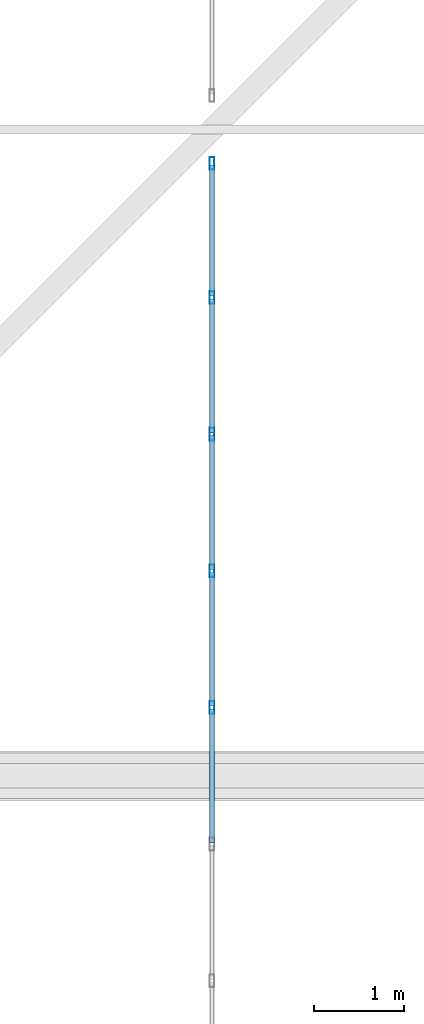
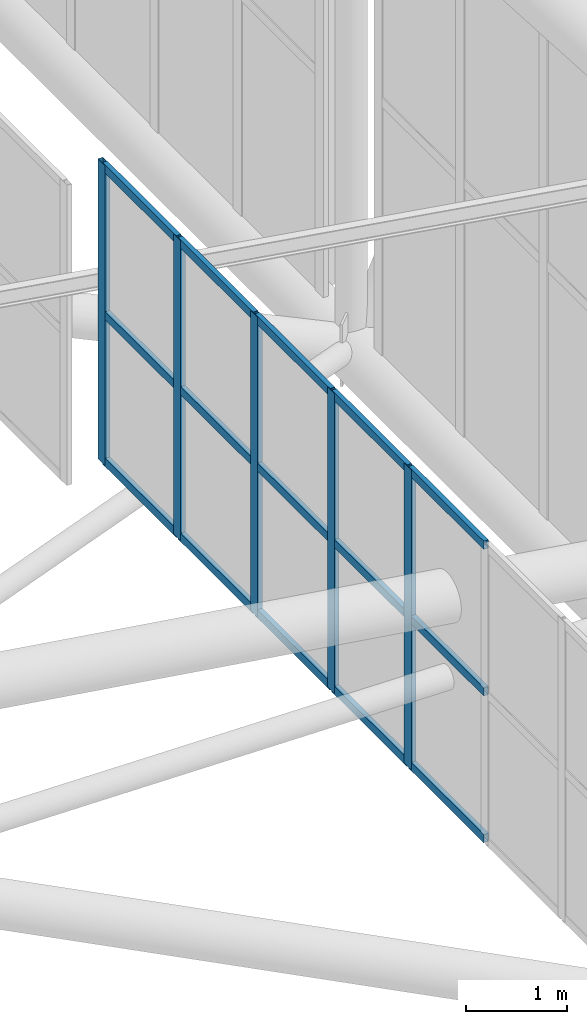
# One storey, part 276 of 397: 20 members, 1 element without a shape of its own.
"""IFC4 building model written with IfcOpenShell, lengths in metres."""

from ifc_helpers import new_model, si_unit, direction, frame, origin, origin_2d, place, context, subcontext, project, spatial, hollow_rectangle, extrude, material, material_profile, profile_set, type_object, element, aggregate, save


model = new_model("IFC4")

# Units and contexts
model_context = context("Model", 3, precision=1e-05, world=origin(), true_north=direction((0.0, 1.0)))
body_context = subcontext(model_context, "Body", "Model", "MODEL_VIEW")
ifc_project = project(units=[si_unit("LENGTHUNIT", "METRE"), si_unit("AREAUNIT", "SQUARE_METRE"), si_unit("VOLUMEUNIT", "CUBIC_METRE"), si_unit("PLANEANGLEUNIT", "RADIAN"), si_unit("MASSUNIT", "GRAM", prefix="KILO")], contexts=[model_context])

# Site, building, storey
site_placement = place(None, origin())
site = spatial("IfcSite", under=ifc_project, at=site_placement, CompositionType="ELEMENT")
building_placement = place(site_placement, origin())
building = spatial("IfcBuilding", under=site, at=building_placement, Name="Qandorah Velis Arena", CompositionType="ELEMENT")
storey_placement = place(building_placement, frame((0.0, 0.0, 27.5)))
storey = spatial("IfcBuildingStorey", under=building, at=storey_placement, Name="RF", CompositionType="ELEMENT", Elevation=27.5)

# Curtain wall, members
ifc_material_1 = material(Name="Solar-control low-E double glazing", Category="glass")
curtain_wall_type = type_object("IfcCurtainWallType", Name="ARC-CW-SYS16", PredefinedType="USERDEFINED", material=ifc_material_1)
curtain_wall_placement = place(storey_placement, origin())
curtain_wall = element("IfcCurtainWall", 1, at=curtain_wall_placement, inside=storey, type_object=curtain_wall_type, Name="Unitised curtain wall MON-2-4", ObjectType="UNITISED CURTAIN WALL", PredefinedType="USERDEFINED")
ifc_material_2 = material(Name="Champagne-bronze anodized aluminium 6063-T6", Category="aluminium")
ifc_material_profile_1 = material_profile(ifc_material_2, hollow_rectangle(XDim=0.054931640625, YDim=0.139892578125, WallThickness=0.0029296875, at=origin_2d()), Name="ALU MULLION 55x140")
ifc_profile_set_1 = profile_set([ifc_material_profile_1], Name="Champagne-bronze anodized aluminium 6063-T6")
member_type_1 = type_object("IfcMemberType", Name="ARC-CWM-140", PredefinedType="MULLION", material=ifc_profile_set_1)
member_1_placement = place(storey_placement, frame((108.0, 72.76123046875, 5.830322265625), z_axis=(0.0, 0.0, 1.0), x_axis=(-1.0, 0.0, 0.0)))
member_1 = element("IfcMember", 2, at=member_1_placement, type_object=member_type_1, Name="CW16 mullion 6", PredefinedType="MULLION", context=body_context, shape_type="SweptSolid", body=[
    extrude(hollow_rectangle(XDim=0.054931640625, YDim=0.139892578125, WallThickness=0.0029296875, at=origin_2d()), origin(), (0.0, 0.0, 1.0), 3.6298828125),
])
member_2_placement = place(storey_placement, frame((108.0, 74.283447265625, 5.830322265625), z_axis=(0.0, 0.0, 1.0), x_axis=(-1.0, 0.0, 0.0)))
member_2 = element("IfcMember", 3, at=member_2_placement, type_object=member_type_1, Name="CW16 mullion 7", PredefinedType="MULLION", context=body_context, shape_type="SweptSolid", body=[
    extrude(hollow_rectangle(XDim=0.054931640625, YDim=0.139892578125, WallThickness=0.0029296875, at=origin_2d()), origin(), (0.0, 0.0, 1.0), 3.6298828125),
])
member_3_placement = place(storey_placement, frame((108.0, 75.8056640625, 5.830322265625), z_axis=(0.0, 0.0, 1.0), x_axis=(-1.0, 0.0, 0.0)))
member_3 = element("IfcMember", 4, at=member_3_placement, type_object=member_type_1, Name="CW16 mullion 8", PredefinedType="MULLION", context=body_context, shape_type="SweptSolid", body=[
    extrude(hollow_rectangle(XDim=0.054931640625, YDim=0.139892578125, WallThickness=0.0029296875, at=origin_2d()), origin(), (0.0, 0.0, 1.0), 3.6298828125),
])
member_4_placement = place(storey_placement, frame((108.0, 77.327880859375, 5.830322265625), z_axis=(0.0, 0.0, 1.0), x_axis=(-1.0, 0.0, 0.0)))
member_4 = element("IfcMember", 5, at=member_4_placement, type_object=member_type_1, Name="CW16 mullion 9", PredefinedType="MULLION", context=body_context, shape_type="SweptSolid", body=[
    extrude(hollow_rectangle(XDim=0.054931640625, YDim=0.139892578125, WallThickness=0.0029296875, at=origin_2d()), origin(), (0.0, 0.0, 1.0), 3.6298828125),
])
member_5_placement = place(storey_placement, frame((108.0, 78.822509765625, 5.830322265625), z_axis=(0.0, 0.0, 1.0), x_axis=(-1.0, 0.0, 0.0)))
member_5 = element("IfcMember", 6, at=member_5_placement, type_object=member_type_1, Name="CW16 mullion 10", PredefinedType="MULLION", context=body_context, shape_type="SweptSolid", body=[
    extrude(hollow_rectangle(XDim=0.054931640625, YDim=0.139892578125, WallThickness=0.0029296875, at=origin_2d()), origin(), (0.0, 0.0, 1.0), 3.6298828125),
])
ifc_material_profile_2 = material_profile(ifc_material_2, hollow_rectangle(XDim=0.054931640625, YDim=0.10009765625, WallThickness=0.0029296875, at=origin_2d()), Name="ALU TRANSOM 55x100")
ifc_profile_set_2 = profile_set([ifc_material_profile_2], Name="Champagne-bronze anodized aluminium 6063-T6")
member_type_2 = type_object("IfcMemberType", Name="ARC-CWT-100", PredefinedType="USERDEFINED", material=ifc_profile_set_2)
member_6_placement = place(storey_placement, frame((108.0, 71.25439453125, 5.872802734375), z_axis=(0.0, 1.0, 0.0), x_axis=(-1.0, 0.0, 0.0)))
member_6 = element("IfcMember", 7, at=member_6_placement, type_object=member_type_2, Name="CW16 transom 5.1", ObjectType="TRANSOM", PredefinedType="USERDEFINED", context=body_context, shape_type="SweptSolid", body=[
    extrude(hollow_rectangle(XDim=0.054931640625, YDim=0.10009765625, WallThickness=0.0029296875, at=origin_2d()), origin(), (0.0, 0.0, 1.0), 1.4912109375),
])
member_7_placement = place(storey_placement, frame((108.0, 71.25439453125, 7.645263671875), z_axis=(0.0, 1.0, 0.0), x_axis=(-1.0, 0.0, 0.0)))
member_7 = element("IfcMember", 8, at=member_7_placement, type_object=member_type_2, Name="CW16 transom 5.2", ObjectType="TRANSOM", PredefinedType="USERDEFINED", context=body_context, shape_type="SweptSolid", body=[
    extrude(hollow_rectangle(XDim=0.054931640625, YDim=0.10009765625, WallThickness=0.0029296875, at=origin_2d()), origin(), (0.0, 0.0, 1.0), 1.4912109375),
])
member_8_placement = place(storey_placement, frame((108.0, 71.25439453125, 9.417724609375), z_axis=(0.0, 1.0, 0.0), x_axis=(-1.0, 0.0, 0.0)))
member_8 = element("IfcMember", 9, at=member_8_placement, type_object=member_type_2, Name="CW16 transom 5.3", ObjectType="TRANSOM", PredefinedType="USERDEFINED", context=body_context, shape_type="SweptSolid", body=[
    extrude(hollow_rectangle(XDim=0.054931640625, YDim=0.10009765625, WallThickness=0.0029296875, at=origin_2d()), origin(), (0.0, 0.0, 1.0), 1.4912109375),
])
member_9_placement = place(storey_placement, frame((108.0, 72.776611328125, 5.872802734375), z_axis=(0.0, 1.0, 0.0), x_axis=(-1.0, 0.0, 0.0)))
member_9 = element("IfcMember", 10, at=member_9_placement, type_object=member_type_2, Name="CW16 transom 6.1", ObjectType="TRANSOM", PredefinedType="USERDEFINED", context=body_context, shape_type="SweptSolid", body=[
    extrude(hollow_rectangle(XDim=0.054931640625, YDim=0.10009765625, WallThickness=0.0029296875, at=origin_2d()), origin(), (0.0, 0.0, 1.0), 1.4912109375),
])
member_10_placement = place(storey_placement, frame((108.0, 72.776611328125, 7.645263671875), z_axis=(0.0, 1.0, 0.0), x_axis=(-1.0, 0.0, 0.0)))
member_10 = element("IfcMember", 11, at=member_10_placement, type_object=member_type_2, Name="CW16 transom 6.2", ObjectType="TRANSOM", PredefinedType="USERDEFINED", context=body_context, shape_type="SweptSolid", body=[
    extrude(hollow_rectangle(XDim=0.054931640625, YDim=0.10009765625, WallThickness=0.0029296875, at=origin_2d()), origin(), (0.0, 0.0, 1.0), 1.4912109375),
])
member_11_placement = place(storey_placement, frame((108.0, 72.776611328125, 9.417724609375), z_axis=(0.0, 1.0, 0.0), x_axis=(-1.0, 0.0, 0.0)))
member_11 = element("IfcMember", 12, at=member_11_placement, type_object=member_type_2, Name="CW16 transom 6.3", ObjectType="TRANSOM", PredefinedType="USERDEFINED", context=body_context, shape_type="SweptSolid", body=[
    extrude(hollow_rectangle(XDim=0.054931640625, YDim=0.10009765625, WallThickness=0.0029296875, at=origin_2d()), origin(), (0.0, 0.0, 1.0), 1.4912109375),
])
member_12_placement = place(storey_placement, frame((108.0, 74.298828125, 5.872802734375), z_axis=(0.0, 1.0, 0.0), x_axis=(-1.0, 0.0, 0.0)))
member_12 = element("IfcMember", 13, at=member_12_placement, type_object=member_type_2, Name="CW16 transom 7.1", ObjectType="TRANSOM", PredefinedType="USERDEFINED", context=body_context, shape_type="SweptSolid", body=[
    extrude(hollow_rectangle(XDim=0.054931640625, YDim=0.10009765625, WallThickness=0.0029296875, at=origin_2d()), origin(), (0.0, 0.0, 1.0), 1.4912109375),
])
member_13_placement = place(storey_placement, frame((108.0, 74.298828125, 7.645263671875), z_axis=(0.0, 1.0, 0.0), x_axis=(-1.0, 0.0, 0.0)))
member_13 = element("IfcMember", 14, at=member_13_placement, type_object=member_type_2, Name="CW16 transom 7.2", ObjectType="TRANSOM", PredefinedType="USERDEFINED", context=body_context, shape_type="SweptSolid", body=[
    extrude(hollow_rectangle(XDim=0.054931640625, YDim=0.10009765625, WallThickness=0.0029296875, at=origin_2d()), origin(), (0.0, 0.0, 1.0), 1.4912109375),
])
member_14_placement = place(storey_placement, frame((108.0, 74.298828125, 9.417724609375), z_axis=(0.0, 1.0, 0.0), x_axis=(-1.0, 0.0, 0.0)))
member_14 = element("IfcMember", 15, at=member_14_placement, type_object=member_type_2, Name="CW16 transom 7.3", ObjectType="TRANSOM", PredefinedType="USERDEFINED", context=body_context, shape_type="SweptSolid", body=[
    extrude(hollow_rectangle(XDim=0.054931640625, YDim=0.10009765625, WallThickness=0.0029296875, at=origin_2d()), origin(), (0.0, 0.0, 1.0), 1.4912109375),
])
member_15_placement = place(storey_placement, frame((108.0, 75.821044921875, 5.872802734375), z_axis=(0.0, 1.0, 0.0), x_axis=(-1.0, 0.0, 0.0)))
member_15 = element("IfcMember", 16, at=member_15_placement, type_object=member_type_2, Name="CW16 transom 8.1", ObjectType="TRANSOM", PredefinedType="USERDEFINED", context=body_context, shape_type="SweptSolid", body=[
    extrude(hollow_rectangle(XDim=0.054931640625, YDim=0.10009765625, WallThickness=0.0029296875, at=origin_2d()), origin(), (0.0, 0.0, 1.0), 1.4912109375),
])
member_16_placement = place(storey_placement, frame((108.0, 75.821044921875, 7.645263671875), z_axis=(0.0, 1.0, 0.0), x_axis=(-1.0, 0.0, 0.0)))
member_16 = element("IfcMember", 17, at=member_16_placement, type_object=member_type_2, Name="CW16 transom 8.2", ObjectType="TRANSOM", PredefinedType="USERDEFINED", context=body_context, shape_type="SweptSolid", body=[
    extrude(hollow_rectangle(XDim=0.054931640625, YDim=0.10009765625, WallThickness=0.0029296875, at=origin_2d()), origin(), (0.0, 0.0, 1.0), 1.4912109375),
])
member_17_placement = place(storey_placement, frame((108.0, 75.821044921875, 9.417724609375), z_axis=(0.0, 1.0, 0.0), x_axis=(-1.0, 0.0, 0.0)))
member_17 = element("IfcMember", 18, at=member_17_placement, type_object=member_type_2, Name="CW16 transom 8.3", ObjectType="TRANSOM", PredefinedType="USERDEFINED", context=body_context, shape_type="SweptSolid", body=[
    extrude(hollow_rectangle(XDim=0.054931640625, YDim=0.10009765625, WallThickness=0.0029296875, at=origin_2d()), origin(), (0.0, 0.0, 1.0), 1.4912109375),
])
member_18_placement = place(storey_placement, frame((108.0, 77.34326171875, 5.872802734375), z_axis=(0.0, 1.0, 0.0), x_axis=(-1.0, 0.0, 0.0)))
member_18 = element("IfcMember", 19, at=member_18_placement, type_object=member_type_2, Name="CW16 transom 9.1", ObjectType="TRANSOM", PredefinedType="USERDEFINED", context=body_context, shape_type="SweptSolid", body=[
    extrude(hollow_rectangle(XDim=0.054931640625, YDim=0.10009765625, WallThickness=0.0029296875, at=origin_2d()), origin(), (0.0, 0.0, 1.0), 1.463623046875),
])
member_19_placement = place(storey_placement, frame((108.0, 77.34326171875, 7.645263671875), z_axis=(0.0, 1.0, 0.0), x_axis=(-1.0, 0.0, 0.0)))
member_19 = element("IfcMember", 20, at=member_19_placement, type_object=member_type_2, Name="CW16 transom 9.2", ObjectType="TRANSOM", PredefinedType="USERDEFINED", context=body_context, shape_type="SweptSolid", body=[
    extrude(hollow_rectangle(XDim=0.054931640625, YDim=0.10009765625, WallThickness=0.0029296875, at=origin_2d()), origin(), (0.0, 0.0, 1.0), 1.463623046875),
])
member_20_placement = place(storey_placement, frame((108.0, 77.34326171875, 9.417724609375), z_axis=(0.0, 1.0, 0.0), x_axis=(-1.0, 0.0, 0.0)))
member_20 = element("IfcMember", 21, at=member_20_placement, type_object=member_type_2, Name="CW16 transom 9.3", ObjectType="TRANSOM", PredefinedType="USERDEFINED", context=body_context, shape_type="SweptSolid", body=[
    extrude(hollow_rectangle(XDim=0.054931640625, YDim=0.10009765625, WallThickness=0.0029296875, at=origin_2d()), origin(), (0.0, 0.0, 1.0), 1.463623046875),
])
aggregate(curtain_wall, [member_1, member_2, member_3, member_4, member_5, member_6, member_7, member_8, member_9, member_10, member_11, member_12, member_13, member_14, member_15, member_16, member_17, member_18, member_19, member_20])

save(model, "model.ifc")
